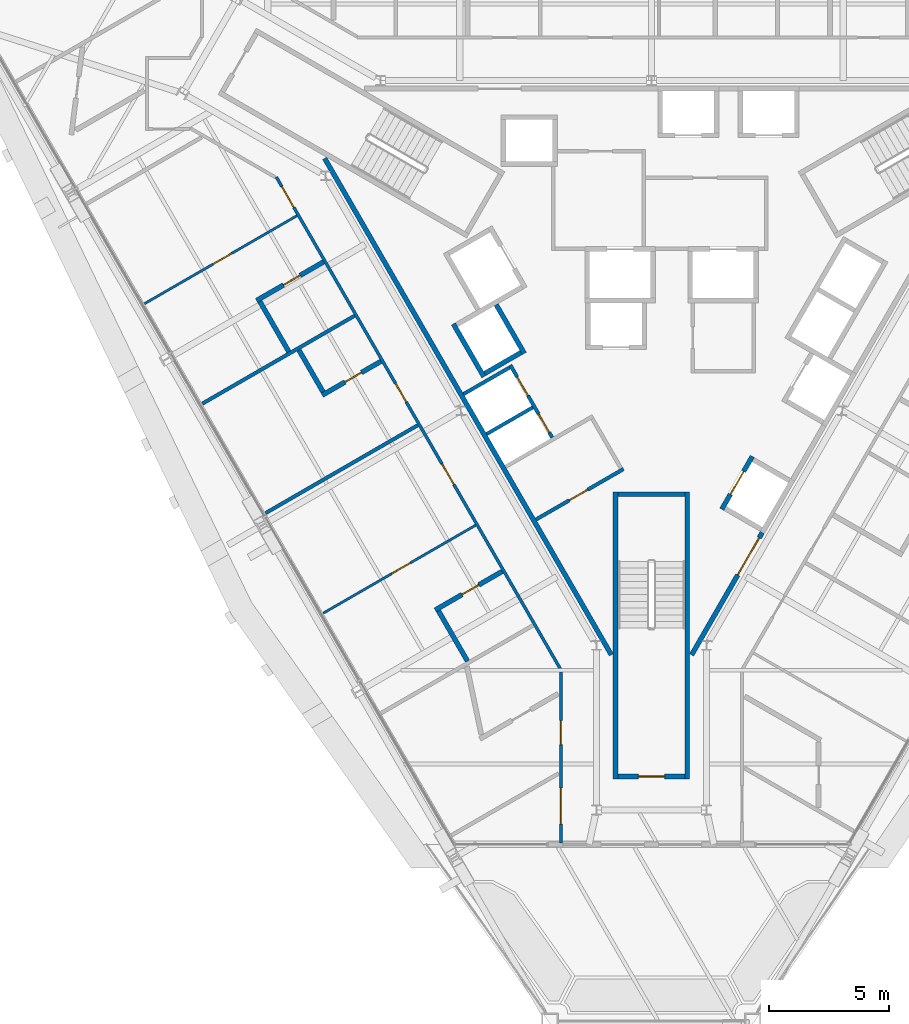
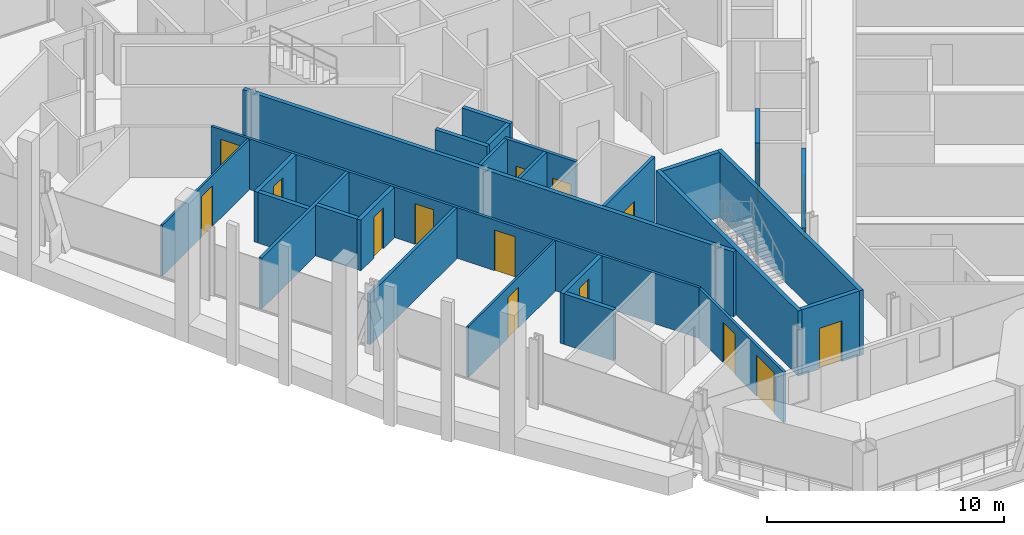
# One storey, part 10 of 16: 26 walls, 16 doors, 16 openings.
"""IFC4 building model written with IfcOpenShell, lengths in metres."""

from ifc_helpers import new_model, si_unit, direction, frame, frame_2d, origin, place, context, subcontext, project, spatial, rectangle, extrude, material, layer, layer_set, type_object, element, fill, save


model = new_model("IFC4")

# Units and contexts
model_context = context("Model", 3, precision=1e-05, world=origin(), true_north=direction((0.0, 1.0)))
body_context = subcontext(model_context, "Body", "Model", "MODEL_VIEW")
ifc_project = project(units=[si_unit("LENGTHUNIT", "METRE"), si_unit("AREAUNIT", "SQUARE_METRE"), si_unit("VOLUMEUNIT", "CUBIC_METRE"), si_unit("PLANEANGLEUNIT", "RADIAN"), si_unit("MASSUNIT", "GRAM", prefix="KILO")], contexts=[model_context])

# Site, building, storey
site_placement = place(None, origin())
site = spatial("IfcSite", under=ifc_project, at=site_placement, CompositionType="ELEMENT")
building_placement = place(site_placement, origin())
building = spatial("IfcBuilding", under=site, at=building_placement, Name="Verrane Prism Tower", CompositionType="ELEMENT")
storey_placement = place(building_placement, frame((0.0, 0.0, 114.39990234375)))
storey = spatial("IfcBuildingStorey", under=building, at=storey_placement, Name="L27", CompositionType="ELEMENT", Elevation=114.39990234375)

# Wall
ifc_material_1 = material(Name="Gypsum board partition", Category="other")
ifc_layer_1 = layer(ifc_material_1, 0.199951171875)
ifc_layer_set_1 = layer_set([ifc_layer_1], Name="CW-200 core boundary wall 2 h")
wall_type_1 = type_object("IfcWallType", Name="CW-200 core boundary wall 2 h", PredefinedType="PARTITIONING", material=ifc_layer_set_1)
wall_1_placement = place(storey_placement, frame((-13.66357421875, 5.946044921875, 0.0), z_axis=(0.0, 0.0, 1.0), x_axis=(0.499994327219, -0.866028678941, 0.0)))
element("IfcWall", 1, at=wall_1_placement, inside=storey, type_object=wall_type_1, Name="Core boundary wall CW3-001", PredefinedType="PARTITIONING", context=body_context, shape_type="SweptSolid", body=[
    extrude(rectangle(XDim=23.967529296875, YDim=0.199951171875, at=frame_2d((11.98388671875, 0.0))), origin(), (0.0, 0.0, 1.0), 3.35009765625),
])

# Wall, opening, door
wall_2_placement = place(storey_placement, frame((1.677490234375, -14.814697265625, 0.0), z_axis=(0.0, 0.0, 1.0), x_axis=(0.49999445743, 0.866028603765, 0.0)))
wall_2 = element("IfcWall", 2, at=wall_2_placement, inside=storey, type_object=wall_type_1, Name="Core boundary wall CW3-003", PredefinedType="PARTITIONING", context=body_context, shape_type="SweptSolid", body=[
    extrude(rectangle(XDim=5.90478515625, YDim=0.199951171875, at=frame_2d((2.952392578125, 0.0))), origin(), (0.0, 0.0, 1.0), 3.35009765625),
])
opening_1_placement = place(wall_2_placement, frame((3.85498046875, 0.0, 0.0)))
opening_1 = element("IfcOpeningElement", 3, at=opening_1_placement, cuts=wall_2, Name="Opening D27517", PredefinedType="OPENING", context=body_context, shape_type="SweptSolid", body=[
    extrude(rectangle(XDim=1.800048828125, YDim=2.10009765625, at=frame_2d((0.89990234375, 1.050048828125))), frame((0.0, 0.10986328125, 0.0), z_axis=(0.0, -1.0, 0.0), x_axis=(1.0, 0.0, 0.0)), (0.0, 0.0, 1.0), 0.219970703125),
])
ifc_material_2 = material(Name="Timber veneered door leaf", Category="wood")
door_type_1 = type_object("IfcDoorType", Name="DR-1800x2100 FD60 double leaf lift lobby", OperationType="NOTDEFINED", PredefinedType="DOOR", material=ifc_material_2)
door_1_placement = place(opening_1_placement, origin())
door_1 = element("IfcDoor", 4, at=door_1_placement, inside=storey, type_object=door_type_1, Name="Lift lobby door D27517", OperationType="DOUBLE_DOOR_SINGLE_SWING", OverallHeight=2.10009765625, OverallWidth=1.800048828125, PredefinedType="DOOR", context=body_context, shape_type="SweptSolid", body=[
    extrude(rectangle(XDim=1.800048828125, YDim=2.10009765625, at=frame_2d((0.89990234375, 1.050048828125))), frame((0.0, 0.02490234375, 0.0), z_axis=(0.0, -1.0, 0.0), x_axis=(1.0, 0.0, 0.0)), (0.0, 0.0, 1.0), 0.050048828125),
])
fill(opening_1, door_1)

ifc_material_3 = material(Name="Concrete C40/50", Category="concrete")
ifc_layer_2 = layer(ifc_material_3, 0.199951171875)
ifc_layer_set_2 = layer_set([ifc_layer_2], Name="CW-200 stair core wall concrete C40/50 3 h")
wall_type_2 = type_object("IfcWallType", Name="CW-200 stair core wall concrete C40/50 3 h", PredefinedType="PARTITIONING", material=ifc_layer_set_2)
wall_3_placement = place(storey_placement, frame((-1.39990234375, -19.89990234375, 0.0), z_axis=(0.0, 0.0, 1.0), x_axis=(1.0, 0.0, 0.0)))
wall_3 = element("IfcWall", 5, at=wall_3_placement, inside=storey, type_object=wall_type_2, Name="Stair 3 enclosure wall", PredefinedType="PARTITIONING", context=body_context, shape_type="SweptSolid", body=[
    extrude(rectangle(XDim=2.7998046875, YDim=0.199951171875, at=frame_2d((1.39990234375, 0.0))), origin(), (0.0, 0.0, 1.0), 3.35009765625),
])
opening_2_placement = place(wall_3_placement, frame((0.85009765625, 0.0, 0.0)))
opening_2 = element("IfcOpeningElement", 6, at=opening_2_placement, cuts=wall_3, Name="Opening D27502", PredefinedType="OPENING", context=body_context, shape_type="SweptSolid", body=[
    extrude(rectangle(XDim=1.10009765625, YDim=2.10009765625, at=frame_2d((0.550048828125, 1.050048828125))), frame((0.0, 0.10986328125, 0.0), z_axis=(0.0, -1.0, 0.0), x_axis=(1.0, 0.0, 0.0)), (0.0, 0.0, 1.0), 0.219970703125),
])
ifc_material_4 = material(Name="Timber veneered door leaf", Category="wood")
door_type_2 = type_object("IfcDoorType", Name="DR-1100x2100 FD90 single leaf stair", OperationType="NOTDEFINED", PredefinedType="DOOR", material=ifc_material_4)
door_2_placement = place(opening_2_placement, origin())
door_2 = element("IfcDoor", 7, at=door_2_placement, inside=storey, type_object=door_type_2, Name="Stair 3 door", OperationType="SINGLE_SWING_LEFT", OverallHeight=2.10009765625, OverallWidth=1.10009765625, PredefinedType="DOOR", context=body_context, shape_type="SweptSolid", body=[
    extrude(rectangle(XDim=1.10009765625, YDim=2.10009765625, at=frame_2d((0.550048828125, 1.050048828125))), frame((0.0, 0.02490234375, 0.0), z_axis=(0.0, -1.0, 0.0), x_axis=(1.0, 0.0, 0.0)), (0.0, 0.0, 1.0), 0.050048828125),
])
fill(opening_2, door_2)

# Walls
for number, where, z_axis, x_axis, name in (
    (8, (1.5, -8.0, 0.0), (0.0, 0.0, 1.0), (0.0, -1.0, 0.0), "Stair 3 enclosure wall"),
    (9, (-1.5, -8.0, 0.0), (0.0, 0.0, 1.0), (0.0, -1.0, 0.0), "Stair 3 enclosure wall"),
):
    element("IfcWall", number, at=place(storey_placement, frame(where, z_axis=z_axis, x_axis=x_axis)), inside=storey, type_object=wall_type_2, Name=name, PredefinedType="PARTITIONING", context=body_context, shape_type="SweptSolid", body=[
        extrude(rectangle(XDim=12.0, YDim=0.199951171875, at=frame_2d((6.0, 0.0))), origin(), (0.0, 0.0, 1.0), 3.35009765625),
    ])
wall_4_placement = place(storey_placement, frame((-1.39990234375, -8.10009765625, 0.0), z_axis=(0.0, 0.0, 1.0), x_axis=(1.0, 0.0, 0.0)))
element("IfcWall", 10, at=wall_4_placement, inside=storey, type_object=wall_type_2, Name="Stair 3 enclosure wall", PredefinedType="PARTITIONING", context=body_context, shape_type="SweptSolid", body=[
    extrude(rectangle(XDim=2.7998046875, YDim=0.199951171875, at=frame_2d((1.39990234375, 0.0))), origin(), (0.0, 0.0, 1.0), 3.35009765625),
])
ifc_material_5 = material(Name="Gypsum board shaft wall assembly", Category="other")
ifc_layer_3 = layer(ifc_material_5, 0.199951171875)
ifc_layer_set_3 = layer_set([ifc_layer_3], Name="HW-200 lift shaft wall 2 h")
wall_type_3 = type_object("IfcWallType", Name="HW-200 lift shaft wall 2 h", PredefinedType="PARTITIONING", material=ifc_layer_set_3)
wall_5_placement = place(storey_placement, frame((-6.9697265625, -3.048095703125, 0.0), z_axis=(0.0, 0.0, 1.0), x_axis=(0.866036909293, 0.499980071345, 0.0)))
element("IfcWall", 11, at=wall_5_placement, inside=storey, type_object=wall_type_3, Name="Lift shaft wall", PredefinedType="PARTITIONING", context=body_context, shape_type="SweptSolid", body=[
    extrude(rectangle(XDim=1.75, YDim=0.199951171875, at=frame_2d((0.875, 0.0))), origin(), (0.0, 0.0, 1.0), 3.60009765625),
])

# Wall, opening, door
wall_6_placement = place(storey_placement, frame((2.941650390625, -8.724853515625, 0.0), z_axis=(0.0, 0.0, 1.0), x_axis=(0.500020783669, 0.866013403995, 0.0)))
wall_6 = element("IfcWall", 12, at=wall_6_placement, inside=storey, type_object=wall_type_3, Name="Lift shaft wall", PredefinedType="PARTITIONING", context=body_context, shape_type="SweptSolid", body=[
    extrude(rectangle(XDim=2.55029296875, YDim=0.199951171875, at=frame_2d((1.275146484375, 0.0))), origin(), (0.0, 0.0, 1.0), 3.60009765625),
])
opening_3_placement = place(wall_6_placement, frame((0.72509765625, 0.0, 0.0)))
opening_3 = element("IfcOpeningElement", 13, at=opening_3_placement, cuts=wall_6, Name="Opening D27506", PredefinedType="OPENING", context=body_context, shape_type="SweptSolid", body=[
    extrude(rectangle(XDim=1.10009765625, YDim=2.10009765625, at=frame_2d((0.550048828125, 1.050048828125))), frame((0.0, 0.10986328125, 0.0), z_axis=(0.0, -1.0, 0.0), x_axis=(1.0, 0.0, 0.0)), (0.0, 0.0, 1.0), 0.219970703125),
])
ifc_material_6 = material(Name="Stainless steel sliding landing door", Category="steel")
door_type_3 = type_object("IfcDoorType", Name="LD-1100x2100 lift landing door FD90 sliding", OperationType="NOTDEFINED", PredefinedType="DOOR", material=ifc_material_6)
door_3_placement = place(opening_3_placement, origin())
door_3 = element("IfcDoor", 14, at=door_3_placement, inside=storey, type_object=door_type_3, Name="Bank A lift 4 landing door", OperationType="SLIDING_TO_RIGHT", OverallHeight=2.10009765625, OverallWidth=1.10009765625, PredefinedType="DOOR", context=body_context, shape_type="SweptSolid", body=[
    extrude(rectangle(XDim=1.10009765625, YDim=2.10009765625, at=frame_2d((0.550048828125, 1.050048828125))), frame((0.0, 0.02490234375, 0.0), z_axis=(0.0, -1.0, 0.0), x_axis=(1.0, 0.0, 0.0)), (0.0, 0.0, 1.0), 0.050048828125),
])
fill(opening_3, door_3)

# Walls
wall_7_placement = place(storey_placement, frame((-5.317626953125, -2.209716796875, 0.0), z_axis=(0.0, 0.0, 1.0), x_axis=(-0.499938297808, 0.866061024631, 0.0)))
element("IfcWall", 15, at=wall_7_placement, inside=storey, type_object=wall_type_3, Name="Lift shaft wall", PredefinedType="PARTITIONING", context=body_context, shape_type="SweptSolid", body=[
    extrude(rectangle(XDim=2.349853515625, YDim=0.199951171875, at=frame_2d((1.1748046875, 0.0))), origin(), (0.0, 0.0, 1.0), 3.60009765625),
])
wall_8_placement = place(storey_placement, frame((-7.00634765625, -3.184814453125, 0.0), z_axis=(0.0, 0.0, 1.0), x_axis=(-0.499990435942, 0.866030925526, 0.0)))
element("IfcWall", 16, at=wall_8_placement, inside=storey, type_object=wall_type_3, Name="Lift shaft wall", PredefinedType="PARTITIONING", context=body_context, shape_type="SweptSolid", body=[
    extrude(rectangle(XDim=2.5498046875, YDim=0.199951171875, at=frame_2d((1.27490234375, 0.0))), origin(), (0.0, 0.0, 1.0), 3.60009765625),
])

# Wall, opening, door
ifc_material_7 = material(Name="Gypsum board partition", Category="other")
ifc_layer_4 = layer(ifc_material_7, 0.10009765625)
ifc_layer_set_4 = layer_set([ifc_layer_4], Name="PW-100 room partition")
wall_type_4 = type_object("IfcWallType", Name="PW-100 room partition", PredefinedType="PARTITIONING", material=ifc_layer_set_4)
wall_9_placement = place(storey_placement, frame((-14.826416015625, 3.545166015625, 0.0), z_axis=(0.0, 0.0, 1.0), x_axis=(-0.866063309627, -0.499934339407, 0.0)))
wall_9 = element("IfcWall", 17, at=wall_9_placement, inside=storey, type_object=wall_type_4, Name="Room partition 005", PredefinedType="PARTITIONING", context=body_context, shape_type="SweptSolid", body=[
    extrude(rectangle(XDim=7.34765625, YDim=0.10009765625, at=frame_2d((3.673828125, 0.0))), origin(), (0.0, 0.0, 1.0), 2.613037109375),
])
opening_4_placement = place(wall_9_placement, frame((3.143310546875, 0.0, 0.0)))
opening_4 = element("IfcOpeningElement", 18, at=opening_4_placement, cuts=wall_9, Name="Opening D27017", PredefinedType="OPENING", context=body_context, shape_type="SweptSolid", body=[
    extrude(rectangle(XDim=0.89990234375, YDim=2.10009765625, at=frame_2d((0.449951171875, 1.050048828125))), frame((0.0, 0.06005859375, 0.0), z_axis=(0.0, -1.0, 0.0), x_axis=(1.0, 0.0, 0.0)), (0.0, 0.0, 1.0), 0.1201171875),
])
ifc_material_8 = material(Name="Timber veneered door leaf", Category="wood")
door_type_4 = type_object("IfcDoorType", Name="DR-900x2100 single leaf inner", OperationType="NOTDEFINED", PredefinedType="DOOR", material=ifc_material_8)
door_4_placement = place(opening_4_placement, origin())
door_4 = element("IfcDoor", 19, at=door_4_placement, inside=storey, type_object=door_type_4, Name="Suite Living Room door", OperationType="SINGLE_SWING_RIGHT", OverallHeight=2.10009765625, OverallWidth=0.89990234375, PredefinedType="DOOR", context=body_context, shape_type="SweptSolid", body=[
    extrude(rectangle(XDim=0.89990234375, YDim=2.10009765625, at=frame_2d((0.449951171875, 1.050048828125))), frame((0.0, 0.02490234375, 0.0), z_axis=(0.0, -1.0, 0.0), x_axis=(1.0, 0.0, 0.0)), (0.0, 0.0, 1.0), 0.050048828125),
])
fill(opening_4, door_4)

wall_10_placement = place(storey_placement, frame((-7.35107421875, -9.392333984375, 0.0), z_axis=(0.0, 0.0, 1.0), x_axis=(-0.8660606245, -0.499938990969, 0.0)))
wall_10 = element("IfcWall", 20, at=wall_10_placement, inside=storey, type_object=wall_type_4, Name="Room partition 023", PredefinedType="PARTITIONING", context=body_context, shape_type="SweptSolid", body=[
    extrude(rectangle(XDim=7.3525390625, YDim=0.10009765625, at=frame_2d((3.67626953125, 0.0))), origin(), (0.0, 0.0, 1.0), 2.613037109375),
])
opening_5_placement = place(wall_10_placement, frame((3.1484375, 0.0, 0.0)))
opening_5 = element("IfcOpeningElement", 21, at=opening_5_placement, cuts=wall_10, Name="Opening D27022", PredefinedType="OPENING", context=body_context, shape_type="SweptSolid", body=[
    extrude(rectangle(XDim=0.89990234375, YDim=2.10009765625, at=frame_2d((0.449951171875, 1.050048828125))), frame((0.0, 0.06005859375, 0.0), z_axis=(0.0, -1.0, 0.0), x_axis=(1.0, 0.0, 0.0)), (0.0, 0.0, 1.0), 0.1201171875),
])
door_5_placement = place(opening_5_placement, origin())
door_5 = element("IfcDoor", 22, at=door_5_placement, inside=storey, type_object=door_type_4, Name="Suite Living Room door", OperationType="SINGLE_SWING_LEFT", OverallHeight=2.10009765625, OverallWidth=0.89990234375, PredefinedType="DOOR", context=body_context, shape_type="SweptSolid", body=[
    extrude(rectangle(XDim=0.89990234375, YDim=2.10009765625, at=frame_2d((0.449951171875, 1.050048828125))), frame((0.0, 0.02490234375, 0.0), z_axis=(0.0, -1.0, 0.0), x_axis=(1.0, 0.0, 0.0)), (0.0, 0.0, 1.0), 0.050048828125),
])
fill(opening_5, door_5)

# Wall, openings, doors
ifc_material_9 = material(Name="Gypsum board partition", Category="other")
ifc_layer_5 = layer(ifc_material_9, 0.125)
ifc_layer_set_5 = layer_set([ifc_layer_5], Name="PW-125 corridor wall 1 h")
wall_type_5 = type_object("IfcWallType", Name="PW-125 corridor wall 1 h", PredefinedType="PARTITIONING", material=ifc_layer_set_5)
wall_11_placement = place(storey_placement, frame((-3.755859375, -15.494140625, 0.0), z_axis=(0.0, 0.0, 1.0), x_axis=(-0.500027787016, 0.866009360349, 0.0)))
wall_11 = element("IfcWall", 23, at=wall_11_placement, inside=storey, type_object=wall_type_5, Name="Corridor wall 019", PredefinedType="PARTITIONING", context=body_context, shape_type="SweptSolid", body=[
    extrude(rectangle(XDim=23.855712890625, YDim=0.125, at=frame_2d((11.927734375, 0.0))), origin(), (0.0, 0.0, 1.0), 2.613037109375),
])
opening_6_placement = place(wall_11_placement, frame((22.39306640625, 0.0, 0.0)))
opening_6 = element("IfcOpeningElement", 24, at=opening_6_placement, cuts=wall_11, Name="Opening D27016", PredefinedType="OPENING", context=body_context, shape_type="SweptSolid", body=[
    extrude(rectangle(XDim=1.0, YDim=2.10009765625, at=frame_2d((0.5, 1.050048828125))), frame((0.0, 0.072509765625, 0.0), z_axis=(0.0, -1.0, 0.0), x_axis=(1.0, 0.0, 0.0)), (0.0, 0.0, 1.0), 0.14501953125),
])
opening_7_placement = place(wall_11_placement, frame((12.99609375, 0.0, 0.0)))
opening_7 = element("IfcOpeningElement", 25, at=opening_7_placement, cuts=wall_11, Name="Opening D27019", PredefinedType="OPENING", context=body_context, shape_type="SweptSolid", body=[
    extrude(rectangle(XDim=0.89990234375, YDim=2.10009765625, at=frame_2d((0.449951171875, 1.050048828125))), frame((0.0, 0.072509765625, 0.0), z_axis=(0.0, -1.0, 0.0), x_axis=(1.0, 0.0, 0.0)), (0.0, 0.0, 1.0), 0.14501953125),
])
opening_8_placement = place(wall_11_placement, frame((9.01123046875, 0.0, 0.0)))
opening_8 = element("IfcOpeningElement", 26, at=opening_8_placement, cuts=wall_11, Name="Opening D27021", PredefinedType="OPENING", context=body_context, shape_type="SweptSolid", body=[
    extrude(rectangle(XDim=1.0, YDim=2.10009765625, at=frame_2d((0.5, 1.050048828125))), frame((0.0, 0.072509765625, 0.0), z_axis=(0.0, -1.0, 0.0), x_axis=(1.0, 0.0, 0.0)), (0.0, 0.0, 1.0), 0.14501953125),
])
ifc_material_10 = material(Name="Timber veneered door leaf", Category="wood")
door_type_5 = type_object("IfcDoorType", Name="DR-1000x2100 FD20 single leaf unit", OperationType="NOTDEFINED", PredefinedType="DOOR", material=ifc_material_10)
door_6_placement = place(opening_6_placement, origin())
door_6 = element("IfcDoor", 27, at=door_6_placement, inside=storey, type_object=door_type_5, Name="Suite Living Room door", OperationType="SINGLE_SWING_LEFT", OverallHeight=2.10009765625, OverallWidth=1.0, PredefinedType="DOOR", context=body_context, shape_type="SweptSolid", body=[
    extrude(rectangle(XDim=1.0, YDim=2.10009765625, at=frame_2d((0.5, 1.050048828125))), frame((0.0, 0.02490234375, 0.0), z_axis=(0.0, -1.0, 0.0), x_axis=(1.0, 0.0, 0.0)), (0.0, 0.0, 1.0), 0.050048828125),
])
fill(opening_6, door_6)
door_7_placement = place(opening_8_placement, origin())
door_7 = element("IfcDoor", 28, at=door_7_placement, inside=storey, type_object=door_type_5, Name="Suite Living Room door", OperationType="SINGLE_SWING_RIGHT", OverallHeight=2.10009765625, OverallWidth=1.0, PredefinedType="DOOR", context=body_context, shape_type="SweptSolid", body=[
    extrude(rectangle(XDim=1.0, YDim=2.10009765625, at=frame_2d((0.5, 1.050048828125))), frame((0.0, 0.02490234375, 0.0), z_axis=(0.0, -1.0, 0.0), x_axis=(1.0, 0.0, 0.0)), (0.0, 0.0, 1.0), 0.050048828125),
])
fill(opening_8, door_7)
ifc_material_11 = material(Name="Timber veneered door leaf", Category="wood")
door_type_6 = type_object("IfcDoorType", Name="DR-900x2100 FD20 single leaf unit", OperationType="NOTDEFINED", PredefinedType="DOOR", material=ifc_material_11)
door_8_placement = place(opening_7_placement, origin())
door_8 = element("IfcDoor", 29, at=door_8_placement, inside=storey, type_object=door_type_6, Name="Guest Room door", OperationType="SINGLE_SWING_RIGHT", OverallHeight=2.10009765625, OverallWidth=0.89990234375, PredefinedType="DOOR", context=body_context, shape_type="SweptSolid", body=[
    extrude(rectangle(XDim=0.89990234375, YDim=2.10009765625, at=frame_2d((0.449951171875, 1.050048828125))), frame((0.0, 0.02490234375, 0.0), z_axis=(0.0, -1.0, 0.0), x_axis=(1.0, 0.0, 0.0)), (0.0, 0.0, 1.0), 0.050048828125),
])
fill(opening_7, door_8)

wall_12_placement = place(storey_placement, frame((-3.787109375, -22.6728515625, 0.0), z_axis=(0.0, 0.0, 1.0), x_axis=(0.0, 1.0, 0.0)))
wall_12 = element("IfcWall", 30, at=wall_12_placement, inside=storey, type_object=wall_type_5, Name="Corridor wall 037", PredefinedType="PARTITIONING", context=body_context, shape_type="SweptSolid", body=[
    extrude(rectangle(XDim=7.14794921875, YDim=0.125, at=frame_2d((3.573974609375, 0.0))), origin(), (0.0, 0.0, 1.0), 2.613037109375),
])
opening_9_placement = place(wall_12_placement, frame((4.105712890625, 0.0, 0.0)))
opening_9 = element("IfcOpeningElement", 31, at=opening_9_placement, cuts=wall_12, Name="Opening D27024", PredefinedType="OPENING", context=body_context, shape_type="SweptSolid", body=[
    extrude(rectangle(XDim=1.0, YDim=2.10009765625, at=frame_2d((0.5, 1.050048828125))), frame((0.0, 0.072509765625, 0.0), z_axis=(0.0, -1.0, 0.0), x_axis=(1.0, 0.0, 0.0)), (0.0, 0.0, 1.0), 0.14501953125),
])
opening_10_placement = place(wall_12_placement, frame((0.784912109375, 0.0, 0.0)))
opening_10 = element("IfcOpeningElement", 32, at=opening_10_placement, cuts=wall_12, Name="Opening D27040", PredefinedType="OPENING", context=body_context, shape_type="SweptSolid", body=[
    extrude(rectangle(XDim=1.5, YDim=2.10009765625, at=frame_2d((0.75, 1.050048828125))), frame((0.0, 0.072509765625, 0.0), z_axis=(0.0, -1.0, 0.0), x_axis=(1.0, 0.0, 0.0)), (0.0, 0.0, 1.0), 0.14501953125),
])
door_9_placement = place(opening_9_placement, origin())
door_9 = element("IfcDoor", 33, at=door_9_placement, inside=storey, type_object=door_type_5, Name="Accessible Guest Room door", OperationType="SINGLE_SWING_RIGHT", OverallHeight=2.10009765625, OverallWidth=1.0, PredefinedType="DOOR", context=body_context, shape_type="SweptSolid", body=[
    extrude(rectangle(XDim=1.0, YDim=2.10009765625, at=frame_2d((0.5, 1.050048828125))), frame((0.0, 0.02490234375, 0.0), z_axis=(0.0, -1.0, 0.0), x_axis=(1.0, 0.0, 0.0)), (0.0, 0.0, 1.0), 0.050048828125),
])
fill(opening_9, door_9)
ifc_material_12 = material(Name="Timber veneered door leaf", Category="wood")
door_type_7 = type_object("IfcDoorType", Name="DR-1500x2100 FD20 double leaf public", OperationType="NOTDEFINED", PredefinedType="DOOR", material=ifc_material_12)
door_10_placement = place(opening_10_placement, origin())
door_10 = element("IfcDoor", 34, at=door_10_placement, inside=storey, type_object=door_type_7, Name="Sky Garden Lounge door", OperationType="DOUBLE_DOOR_SINGLE_SWING", OverallHeight=2.10009765625, OverallWidth=1.5, PredefinedType="DOOR", context=body_context, shape_type="SweptSolid", body=[
    extrude(rectangle(XDim=1.5, YDim=2.10009765625, at=frame_2d((0.75, 1.050048828125))), frame((0.0, 0.02490234375, 0.0), z_axis=(0.0, -1.0, 0.0), x_axis=(1.0, 0.0, 0.0)), (0.0, 0.0, 1.0), 0.050048828125),
])
fill(opening_10, door_10)

# Walls
ifc_material_13 = material(Name="Gypsum board partition", Category="other")
ifc_layer_6 = layer(ifc_material_13, 0.14990234375)
ifc_layer_set_6 = layer_set([ifc_layer_6], Name="PW-150 demising wall 1 h")
wall_type_6 = type_object("IfcWallType", Name="PW-150 demising wall 1 h", PredefinedType="PARTITIONING", material=ifc_layer_set_6)
wall_13_placement = place(storey_placement, frame((-18.775390625, -4.309814453125, 0.0), z_axis=(0.0, 0.0, 1.0), x_axis=(0.866003534372, 0.50003787702, 0.0)))
element("IfcWall", 35, at=wall_13_placement, inside=storey, type_object=wall_type_6, Name="Demising wall 013", PredefinedType="PARTITIONING", context=body_context, shape_type="SweptSolid", body=[
    extrude(rectangle(XDim=7.34765625, YDim=0.14990234375, at=frame_2d((3.673828125, 0.0))), origin(), (0.0, 0.0, 1.0), 2.613037109375),
])
wall_14_placement = place(storey_placement, frame((-16.1328125, -8.886962890625, 0.0), z_axis=(0.0, 0.0, 1.0), x_axis=(0.865997454095, 0.500048407157, 0.0)))
element("IfcWall", 36, at=wall_14_placement, inside=storey, type_object=wall_type_6, Name="Demising wall 016", PredefinedType="PARTITIONING", context=body_context, shape_type="SweptSolid", body=[
    extrude(rectangle(XDim=7.347900390625, YDim=0.14990234375, at=frame_2d((3.673828125, 0.0))), origin(), (0.0, 0.0, 1.0), 2.613037109375),
])
ifc_material_14 = material(Name="Gypsum board partition", Category="other")
ifc_layer_7 = layer(ifc_material_14, 0.199951171875)
ifc_layer_set_7 = layer_set([ifc_layer_7], Name="PW-200 plumbing wall")
wall_type_7 = type_object("IfcWallType", Name="PW-200 plumbing wall", PredefinedType="PARTITIONING", material=ifc_layer_set_7)
wall_15_placement = place(storey_placement, frame((-16.375, -0.03662109375, 0.0), z_axis=(0.0, 0.0, 1.0), x_axis=(0.499928696113, -0.866066567189, 0.0)))
element("IfcWall", 37, at=wall_15_placement, inside=storey, type_object=wall_type_7, Name="Plumbing wall 014", PredefinedType="PARTITIONING", context=body_context, shape_type="SweptSolid", body=[
    extrude(rectangle(XDim=2.425048828125, YDim=0.199951171875, at=frame_2d((1.21240234375, 0.0))), origin(), (0.0, 0.0, 1.0), 2.613037109375),
])

# Wall, opening, door
wall_16_placement = place(storey_placement, frame((-13.71240234375, 1.6162109375, 0.0), z_axis=(0.0, 0.0, 1.0), x_axis=(-0.866022073929, -0.500005767435, 0.0)))
wall_16 = element("IfcWall", 38, at=wall_16_placement, inside=storey, type_object=wall_type_7, Name="Plumbing wall 015", PredefinedType="PARTITIONING", context=body_context, shape_type="SweptSolid", body=[
    extrude(rectangle(XDim=3.232421875, YDim=0.199951171875, at=frame_2d((1.6162109375, 0.0))), origin(), (0.0, 0.0, 1.0), 2.613037109375),
])
opening_11_placement = place(wall_16_placement, frame((1.13232421875, 0.0, 0.0)))
opening_11 = element("IfcOpeningElement", 39, at=opening_11_placement, cuts=wall_16, Name="Opening D27018", PredefinedType="OPENING", context=body_context, shape_type="SweptSolid", body=[
    extrude(rectangle(XDim=0.800048828125, YDim=2.10009765625, at=frame_2d((0.39990234375, 1.050048828125))), frame((0.0, 0.10986328125, 0.0), z_axis=(0.0, -1.0, 0.0), x_axis=(1.0, 0.0, 0.0)), (0.0, 0.0, 1.0), 0.219970703125),
])
ifc_material_15 = material(Name="Timber veneered door leaf", Category="wood")
door_type_8 = type_object("IfcDoorType", Name="DR-800x2100 single leaf bath", OperationType="NOTDEFINED", PredefinedType="DOOR", material=ifc_material_15)
door_11_placement = place(opening_11_placement, origin())
door_11 = element("IfcDoor", 40, at=door_11_placement, inside=storey, type_object=door_type_8, Name="En-Suite door", OperationType="SINGLE_SWING_LEFT", OverallHeight=2.10009765625, OverallWidth=0.800048828125, PredefinedType="DOOR", context=body_context, shape_type="SweptSolid", body=[
    extrude(rectangle(XDim=0.800048828125, YDim=2.10009765625, at=frame_2d((0.39990234375, 1.050048828125))), frame((0.0, 0.02490234375, 0.0), z_axis=(0.0, -1.0, 0.0), x_axis=(1.0, 0.0, 0.0)), (0.0, 0.0, 1.0), 0.050048828125),
])
fill(opening_11, door_11)

# Wall
wall_17_placement = place(storey_placement, frame((-14.739013671875, -2.0712890625, 0.0), z_axis=(0.0, 0.0, 1.0), x_axis=(0.500078207394, -0.865980246016, 0.0)))
element("IfcWall", 41, at=wall_17_placement, inside=storey, type_object=wall_type_7, Name="Plumbing wall 021", PredefinedType="PARTITIONING", context=body_context, shape_type="SweptSolid", body=[
    extrude(rectangle(XDim=2.019775390625, YDim=0.199951171875, at=frame_2d((1.009765625, 0.0))), origin(), (0.0, 0.0, 1.0), 2.613037109375),
])

# Wall, opening, door
wall_18_placement = place(storey_placement, frame((-13.765625, -3.95703125, 0.0), z_axis=(0.0, 0.0, 1.0), x_axis=(0.866033446572, 0.499986069224, 0.0)))
wall_18 = element("IfcWall", 42, at=wall_18_placement, inside=storey, type_object=wall_type_7, Name="Plumbing wall 022", PredefinedType="PARTITIONING", context=body_context, shape_type="SweptSolid", body=[
    extrude(rectangle(XDim=2.83251953125, YDim=0.199951171875, at=frame_2d((1.416259765625, 0.0))), origin(), (0.0, 0.0, 1.0), 2.613037109375),
])
opening_12_placement = place(wall_18_placement, frame((1.10009765625, 0.0, 0.0)))
opening_12 = element("IfcOpeningElement", 43, at=opening_12_placement, cuts=wall_18, Name="Opening D27020", PredefinedType="OPENING", context=body_context, shape_type="SweptSolid", body=[
    extrude(rectangle(XDim=0.800048828125, YDim=2.10009765625, at=frame_2d((0.39990234375, 1.050048828125))), frame((0.0, 0.10986328125, 0.0), z_axis=(0.0, -1.0, 0.0), x_axis=(1.0, 0.0, 0.0)), (0.0, 0.0, 1.0), 0.219970703125),
])
door_12_placement = place(opening_12_placement, origin())
door_12 = element("IfcDoor", 44, at=door_12_placement, inside=storey, type_object=door_type_8, Name="En-Suite door", OperationType="SINGLE_SWING_RIGHT", OverallHeight=2.10009765625, OverallWidth=0.800048828125, PredefinedType="DOOR", context=body_context, shape_type="SweptSolid", body=[
    extrude(rectangle(XDim=0.800048828125, YDim=2.10009765625, at=frame_2d((0.39990234375, 1.050048828125))), frame((0.0, 0.02490234375, 0.0), z_axis=(0.0, -1.0, 0.0), x_axis=(1.0, 0.0, 0.0)), (0.0, 0.0, 1.0), 0.050048828125),
])
fill(opening_12, door_12)

# Wall
wall_19_placement = place(storey_placement, frame((-8.904052734375, -12.9765625, 0.0), z_axis=(0.0, 0.0, 1.0), x_axis=(0.499960613912, -0.866048142159, 0.0)))
element("IfcWall", 45, at=wall_19_placement, inside=storey, type_object=wall_type_7, Name="Plumbing wall 030", PredefinedType="PARTITIONING", context=body_context, shape_type="SweptSolid", body=[
    extrude(rectangle(XDim=2.425537109375, YDim=0.199951171875, at=frame_2d((1.212890625, 0.0))), origin(), (0.0, 0.0, 1.0), 2.613037109375),
])

# Wall, opening, door
wall_20_placement = place(storey_placement, frame((-6.241455078125, -11.32373046875, 0.0), z_axis=(0.0, 0.0, 1.0), x_axis=(-0.866003189247, -0.500038474733, 0.0)))
wall_20 = element("IfcWall", 46, at=wall_20_placement, inside=storey, type_object=wall_type_7, Name="Plumbing wall 031", PredefinedType="PARTITIONING", context=body_context, shape_type="SweptSolid", body=[
    extrude(rectangle(XDim=3.232177734375, YDim=0.199951171875, at=frame_2d((1.6162109375, 0.0))), origin(), (0.0, 0.0, 1.0), 2.613037109375),
])
opening_13_placement = place(wall_20_placement, frame((1.13232421875, 0.0, 0.0)))
opening_13 = element("IfcOpeningElement", 47, at=opening_13_placement, cuts=wall_20, Name="Opening D27023", PredefinedType="OPENING", context=body_context, shape_type="SweptSolid", body=[
    extrude(rectangle(XDim=0.800048828125, YDim=2.10009765625, at=frame_2d((0.39990234375, 1.050048828125))), frame((0.0, 0.10986328125, 0.0), z_axis=(0.0, -1.0, 0.0), x_axis=(1.0, 0.0, 0.0)), (0.0, 0.0, 1.0), 0.219970703125),
])
door_13_placement = place(opening_13_placement, origin())
door_13 = element("IfcDoor", 48, at=door_13_placement, inside=storey, type_object=door_type_8, Name="En-Suite door", OperationType="SINGLE_SWING_RIGHT", OverallHeight=2.10009765625, OverallWidth=0.800048828125, PredefinedType="DOOR", context=body_context, shape_type="SweptSolid", body=[
    extrude(rectangle(XDim=0.800048828125, YDim=2.10009765625, at=frame_2d((0.39990234375, 1.050048828125))), frame((0.0, 0.02490234375, 0.0), z_axis=(0.0, -1.0, 0.0), x_axis=(1.0, 0.0, 0.0)), (0.0, 0.0, 1.0), 0.050048828125),
])
fill(opening_13, door_13)

# Walls
ifc_material_16 = material(Name="Gypsum board partition", Category="other")
ifc_layer_8 = layer(ifc_material_16, 0.14990234375)
ifc_layer_set_8 = layer_set([ifc_layer_8], Name="RS-150 riser enclosure wall 1 h")
wall_type_8 = type_object("IfcWallType", Name="RS-150 riser enclosure wall 1 h", PredefinedType="PARTITIONING", material=ifc_layer_set_8)
wall_21_placement = place(storey_placement, frame((-7.8564453125, -3.912109375, 0.0), z_axis=(0.0, 0.0, 1.0), x_axis=(0.865971748, 0.500092923031, 0.0)))
element("IfcWall", 49, at=wall_21_placement, inside=storey, type_object=wall_type_8, Name="Riser wall RS3-001", PredefinedType="PARTITIONING", context=body_context, shape_type="SweptSolid", body=[
    extrude(rectangle(XDim=2.224609375, YDim=0.14990234375, at=frame_2d((1.1123046875, 0.0))), origin(), (0.0, 0.0, 1.0), 3.35009765625),
])
wall_22_placement = place(storey_placement, frame((-6.892333984375, -5.58203125, 0.0), z_axis=(0.0, 0.0, 1.0), x_axis=(0.865944298464, 0.500140452231, 0.0)))
element("IfcWall", 50, at=wall_22_placement, inside=storey, type_object=wall_type_8, Name="Riser wall RS3-002", PredefinedType="PARTITIONING", context=body_context, shape_type="SweptSolid", body=[
    extrude(rectangle(XDim=2.224365234375, YDim=0.14990234375, at=frame_2d((1.1123046875, 0.0))), origin(), (0.0, 0.0, 1.0), 3.35009765625),
])

# Wall, openings, doors
wall_23_placement = place(storey_placement, frame((-4.152099609375, -5.728759765625, 0.0), z_axis=(0.0, 0.0, 1.0), x_axis=(-0.500024287448, 0.866011380966, 0.0)))
wall_23 = element("IfcWall", 51, at=wall_23_placement, inside=storey, type_object=wall_type_8, Name="Riser wall RS3-004", PredefinedType="PARTITIONING", context=body_context, shape_type="SweptSolid", body=[
    extrude(rectangle(XDim=3.500732421875, YDim=0.14990234375, at=frame_2d((1.75048828125, 0.0))), origin(), (0.0, 0.0, 1.0), 3.35009765625),
])
opening_14_placement = place(wall_23_placement, frame((2.025634765625, 0.0, 0.0)))
opening_14 = element("IfcOpeningElement", 52, at=opening_14_placement, cuts=wall_23, Name="Opening D27512", PredefinedType="OPENING", context=body_context, shape_type="SweptSolid", body=[
    extrude(rectangle(XDim=0.89990234375, YDim=2.10009765625, at=frame_2d((0.449951171875, 1.050048828125))), frame((0.0, 0.0849609375, 0.0), z_axis=(0.0, -1.0, 0.0), x_axis=(1.0, 0.0, 0.0)), (0.0, 0.0, 1.0), 0.169921875),
])
opening_15_placement = place(wall_23_placement, frame((0.247802734375, 0.0, 0.0)))
opening_15 = element("IfcOpeningElement", 53, at=opening_15_placement, cuts=wall_23, Name="Opening D27513", PredefinedType="OPENING", context=body_context, shape_type="SweptSolid", body=[
    extrude(rectangle(XDim=0.89990234375, YDim=2.10009765625, at=frame_2d((0.449951171875, 1.050048828125))), frame((0.0, 0.0849609375, 0.0), z_axis=(0.0, -1.0, 0.0), x_axis=(1.0, 0.0, 0.0)), (0.0, 0.0, 1.0), 0.169921875),
])
ifc_material_17 = material(Name="Timber veneered door leaf", Category="wood")
door_type_9 = type_object("IfcDoorType", Name="DR-900x2100 FD60 single leaf riser", OperationType="NOTDEFINED", PredefinedType="DOOR", material=ifc_material_17)
door_14_placement = place(opening_14_placement, origin())
door_14 = element("IfcDoor", 54, at=door_14_placement, inside=storey, type_object=door_type_9, Name="Riser door D27512", OperationType="SINGLE_SWING_RIGHT", OverallHeight=2.10009765625, OverallWidth=0.89990234375, PredefinedType="DOOR", context=body_context, shape_type="SweptSolid", body=[
    extrude(rectangle(XDim=0.89990234375, YDim=2.10009765625, at=frame_2d((0.449951171875, 1.050048828125))), frame((0.0, 0.02490234375, 0.0), z_axis=(0.0, -1.0, 0.0), x_axis=(1.0, 0.0, 0.0)), (0.0, 0.0, 1.0), 0.050048828125),
])
fill(opening_14, door_14)
door_15_placement = place(opening_15_placement, origin())
door_15 = element("IfcDoor", 55, at=door_15_placement, inside=storey, type_object=door_type_9, Name="Riser door D27513", OperationType="SINGLE_SWING_LEFT", OverallHeight=2.10009765625, OverallWidth=0.89990234375, PredefinedType="DOOR", context=body_context, shape_type="SweptSolid", body=[
    extrude(rectangle(XDim=0.89990234375, YDim=2.10009765625, at=frame_2d((0.449951171875, 1.050048828125))), frame((0.0, 0.02490234375, 0.0), z_axis=(0.0, -1.0, 0.0), x_axis=(1.0, 0.0, 0.0)), (0.0, 0.0, 1.0), 0.050048828125),
])
fill(opening_15, door_15)

# Wall, opening, door
wall_24_placement = place(storey_placement, frame((-4.824951171875, -9.153564453125, 0.0), z_axis=(0.0, 0.0, 1.0), x_axis=(0.866023738697, 0.500002884005, 0.0)))
wall_24 = element("IfcWall", 56, at=wall_24_placement, inside=storey, type_object=wall_type_8, Name="Riser wall RS3-005", PredefinedType="PARTITIONING", context=body_context, shape_type="SweptSolid", body=[
    extrude(rectangle(XDim=4.22021484375, YDim=0.14990234375, at=frame_2d((2.110107421875, 0.0))), origin(), (0.0, 0.0, 1.0), 3.35009765625),
])
opening_16_placement = place(wall_24_placement, frame((1.594970703125, 0.0, 0.0)))
opening_16 = element("IfcOpeningElement", 57, at=opening_16_placement, cuts=wall_24, Name="Opening D27514", PredefinedType="OPENING", context=body_context, shape_type="SweptSolid", body=[
    extrude(rectangle(XDim=0.89990234375, YDim=2.10009765625, at=frame_2d((0.449951171875, 1.050048828125))), frame((0.0, 0.0849609375, 0.0), z_axis=(0.0, -1.0, 0.0), x_axis=(1.0, 0.0, 0.0)), (0.0, 0.0, 1.0), 0.169921875),
])
ifc_material_18 = material(Name="Timber veneered door leaf", Category="wood")
door_type_10 = type_object("IfcDoorType", Name="DR-900x2100 FD20 single leaf store", OperationType="NOTDEFINED", PredefinedType="DOOR", material=ifc_material_18)
door_16_placement = place(opening_16_placement, origin())
door_16 = element("IfcDoor", 58, at=door_16_placement, inside=storey, type_object=door_type_10, Name="Room door D27514", OperationType="SINGLE_SWING_LEFT", OverallHeight=2.10009765625, OverallWidth=0.89990234375, PredefinedType="DOOR", context=body_context, shape_type="SweptSolid", body=[
    extrude(rectangle(XDim=0.89990234375, YDim=2.10009765625, at=frame_2d((0.449951171875, 1.050048828125))), frame((0.0, 0.02490234375, 0.0), z_axis=(0.0, -1.0, 0.0), x_axis=(1.0, 0.0, 0.0)), (0.0, 0.0, 1.0), 0.050048828125),
])
fill(opening_16, door_16)

save(model, "model.ifc")
